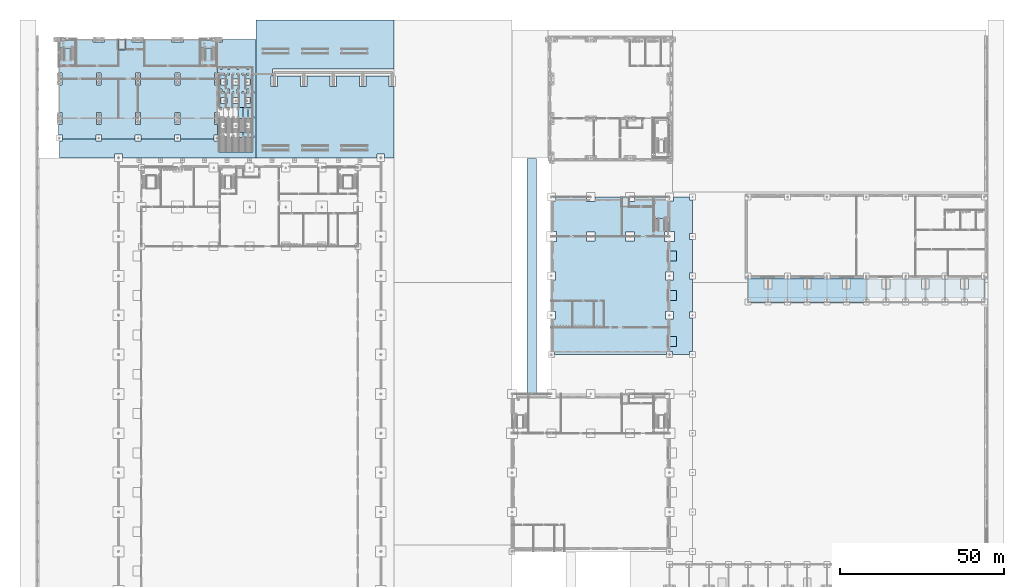
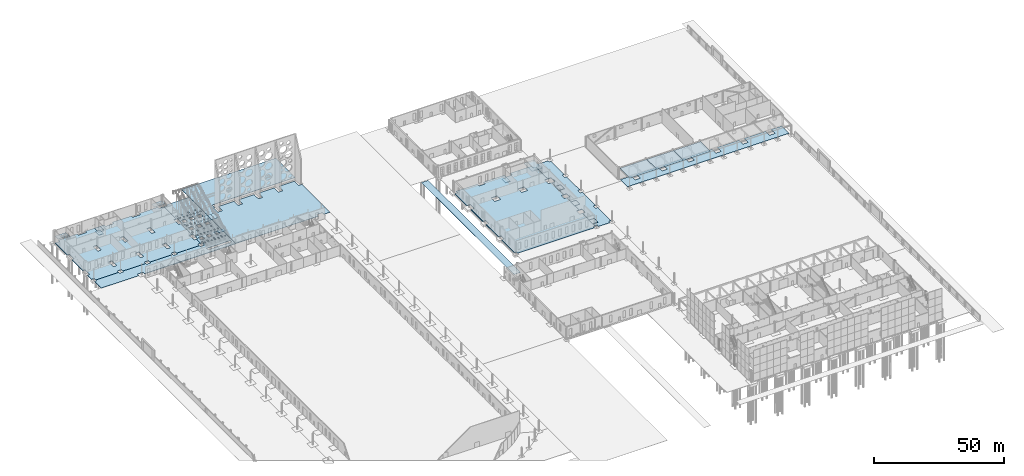
# One storey, part 57 of 132: 22 slabs, 3 plates, 6 elements without a shape of their own.
"""IFC4 building model written with IfcOpenShell, lengths in metres."""

from ifc_helpers import new_model, si_unit, direction, frame, origin, origin_2d, place, context, subcontext, project, spatial, polyline, rectangle, outline, extrude, material, layer, layer_set, type_object, element, aggregate, save


model = new_model("IFC4")

# Units and contexts
model_context = context("Model", 3, precision=1e-05, world=origin(), true_north=direction((0.0, 1.0)))
body_context = subcontext(model_context, "Body", "Model", "MODEL_VIEW")
ifc_project = project(units=[si_unit("LENGTHUNIT", "METRE"), si_unit("AREAUNIT", "SQUARE_METRE"), si_unit("VOLUMEUNIT", "CUBIC_METRE"), si_unit("PLANEANGLEUNIT", "RADIAN"), si_unit("MASSUNIT", "GRAM", prefix="KILO")], contexts=[model_context])

# Site, building, storey
site_placement = place(None, origin())
site = spatial("IfcSite", under=ifc_project, at=site_placement, CompositionType="ELEMENT")
building_placement = place(site_placement, origin())
building = spatial("IfcBuilding", under=site, at=building_placement, Name="Ravi Spectrum Wholesale Market", CompositionType="ELEMENT")
storey_placement = place(building_placement, origin())
storey = spatial("IfcBuildingStorey", under=building, at=storey_placement, Name="L00", CompositionType="ELEMENT", Elevation=0.0)

# Slabs
ifc_material_1 = material(Name="Clay paver")
ifc_layer_1 = layer(ifc_material_1, 0.1201171875)
ifc_layer_set_1 = layer_set([ifc_layer_1], Name="Clay paver")
slab_type_1 = type_object("IfcSlabType", Name="Clay paver on bedding 120", PredefinedType="BASESLAB", material=ifc_layer_set_1)
slab_1_placement = place(storey_placement, frame((0.0, 0.0, -0.1201171875)))
element("IfcSlab", 1, at=slab_1_placement, inside=storey, type_object=slab_type_1, Name="North Forecourt", PredefinedType="BASESLAB", context=body_context, shape_type="SweptSolid", body=[
    extrude(outline(polyline([(108.800048828125, 198.0), (108.800048828125, 199.199951171875), (111.199951171875, 199.199951171875), (111.199951171875, 198.0), (114.0, 198.0), (114.0, 219.75), (112.5, 219.75), (112.5, 223.0), (105.5, 223.0), (105.5, 219.75), (103.5, 219.75), (103.5, 223.0), (96.5, 223.0), (96.5, 219.75), (94.5, 219.75), (94.5, 223.0), (87.5, 223.0), (87.5, 219.75), (85.5, 219.75), (85.5, 223.0), (78.5, 223.0), (78.5, 219.75), (76.5, 219.75), (76.5, 223.0), (77.0, 223.0), (77.0, 225.0), (114.0, 225.0), (114.0, 240.0), (72.0, 240.0), (72.0, 198.0), (108.800048828125, 198.0)])), origin(), (0.0, 0.0, 1.0), 0.1201171875),
])
slab_2_placement = place(storey_placement, frame((0.0, 0.0, -0.1201171875)))
element("IfcSlab", 2, at=slab_2_placement, inside=storey, type_object=slab_type_1, Name="Garden walk paving", PredefinedType="BASESLAB", context=body_context, shape_type="SweptSolid", body=[
    extrude(outline(polyline([(157.5, 197.699951171875), (154.5, 197.699951171875), (154.5, 126.300048828125), (157.5, 126.300048828125), (157.5, 197.699951171875)])), origin(), (0.0, 0.0, 1.0), 0.1201171875),
])
ifc_material_2 = material(Name="Concrete C30/37", Category="concrete")
ifc_layer_2 = layer(ifc_material_2, 0.25)
ifc_layer_set_2 = layer_set([ifc_layer_2], Name="Concrete C30/37")
slab_type_2 = type_object("IfcSlabType", Name="Concrete paving C30/37 250", PredefinedType="BASESLAB", material=ifc_layer_set_2)
slab_3_placement = place(storey_placement, frame((0.0, 0.0, -0.25)))
element("IfcSlab", 3, at=slab_3_placement, inside=storey, type_object=slab_type_2, Name="West Margin Paving", PredefinedType="BASESLAB", context=body_context, shape_type="SweptSolid", body=[
    extrude(outline(polyline([(12.89990234375, 203.10009765625), (12.0, 203.10009765625), (12.0, 198.0), (28.800048828125, 198.0), (28.800048828125, 199.199951171875), (31.199951171875, 199.199951171875), (31.199951171875, 198.0), (72.0, 198.0), (72.0, 234.0), (61.800048828125, 234.0), (61.800048828125, 233.25), (60.25, 233.25), (60.25, 223.800048828125), (60.75, 223.800048828125), (60.75, 220.199951171875), (60.25, 220.199951171875), (60.25, 211.800048828125), (60.75, 211.800048828125), (60.75, 208.199951171875), (60.25, 208.199951171875), (60.25, 204.89990234375), (60.89990234375, 204.89990234375), (60.89990234375, 203.10009765625), (59.10009765625, 203.10009765625), (59.10009765625, 203.75), (48.89990234375, 203.75), (48.89990234375, 203.10009765625), (47.10009765625, 203.10009765625), (47.10009765625, 203.75), (36.89990234375, 203.75), (36.89990234375, 203.10009765625), (35.10009765625, 203.10009765625), (35.10009765625, 203.75), (24.89990234375, 203.75), (24.89990234375, 203.10009765625), (23.10009765625, 203.10009765625), (23.10009765625, 203.75), (12.89990234375, 203.75), (12.89990234375, 203.10009765625)]), holes=[polyline([(70.735107421875, 209.949951171875), (70.735107421875, 210.550048828125), (71.3349609375, 210.550048828125), (71.3349609375, 209.949951171875), (70.735107421875, 209.949951171875)]), polyline([(70.735107421875, 218.14990234375), (71.3349609375, 218.14990234375), (71.3349609375, 217.550048828125), (70.735107421875, 217.550048828125), (70.735107421875, 218.14990234375)]), polyline([(70.735107421875, 223.85009765625), (71.3349609375, 223.85009765625), (71.3349609375, 223.25), (70.735107421875, 223.25), (70.735107421875, 223.85009765625)]), polyline([(70.735107421875, 204.25), (70.735107421875, 204.85009765625), (71.3349609375, 204.85009765625), (71.3349609375, 204.25), (70.735107421875, 204.25)]), polyline([(71.034912109375, 199.699951171875), (60.5, 199.699951171875), (60.5, 200.89990234375), (71.034912109375, 200.89990234375), (71.034912109375, 199.699951171875)]), polyline([(68.379150390625, 208.699951171875), (70.17919921875, 208.699951171875), (70.17919921875, 206.89990234375), (68.379150390625, 206.89990234375), (68.379150390625, 208.699951171875)]), polyline([(68.379150390625, 216.300048828125), (70.17919921875, 216.300048828125), (70.17919921875, 214.5), (68.379150390625, 214.5), (68.379150390625, 216.300048828125)]), polyline([(68.379150390625, 220.199951171875), (68.379150390625, 222.0), (70.17919921875, 222.0), (70.17919921875, 220.199951171875), (68.379150390625, 220.199951171875)]), polyline([(69.22998046875, 204.25), (69.22998046875, 204.85009765625), (69.830078125, 204.85009765625), (69.830078125, 204.25), (69.22998046875, 204.25)]), polyline([(69.22998046875, 225.550048828125), (69.830078125, 225.550048828125), (69.830078125, 224.949951171875), (69.22998046875, 224.949951171875), (69.22998046875, 225.550048828125)]), polyline([(69.22998046875, 223.85009765625), (69.830078125, 223.85009765625), (69.830078125, 223.25), (69.22998046875, 223.25), (69.22998046875, 223.85009765625)]), polyline([(69.22998046875, 218.14990234375), (69.830078125, 218.14990234375), (69.830078125, 217.550048828125), (69.22998046875, 217.550048828125), (69.22998046875, 218.14990234375)]), polyline([(69.22998046875, 213.25), (69.830078125, 213.25), (69.830078125, 212.64990234375), (69.22998046875, 212.64990234375), (69.22998046875, 213.25)]), polyline([(69.22998046875, 210.550048828125), (69.830078125, 210.550048828125), (69.830078125, 209.949951171875), (69.22998046875, 209.949951171875), (69.22998046875, 210.550048828125)]), polyline([(69.22998046875, 218.35009765625), (69.22998046875, 218.949951171875), (69.830078125, 218.949951171875), (69.830078125, 218.35009765625), (69.22998046875, 218.35009765625)]), polyline([(69.22998046875, 205.050048828125), (69.22998046875, 205.64990234375), (69.830078125, 205.64990234375), (69.830078125, 205.050048828125), (69.22998046875, 205.050048828125)]), polyline([(67.72509765625, 223.85009765625), (68.324951171875, 223.85009765625), (68.324951171875, 223.25), (67.72509765625, 223.25), (67.72509765625, 223.85009765625)]), polyline([(67.72509765625, 204.85009765625), (68.324951171875, 204.85009765625), (68.324951171875, 204.25), (67.72509765625, 204.25), (67.72509765625, 204.85009765625)]), polyline([(67.72509765625, 210.550048828125), (68.324951171875, 210.550048828125), (68.324951171875, 209.949951171875), (67.72509765625, 209.949951171875), (67.72509765625, 210.550048828125)]), polyline([(67.72509765625, 217.550048828125), (67.72509765625, 218.14990234375), (68.324951171875, 218.14990234375), (68.324951171875, 217.550048828125), (67.72509765625, 217.550048828125)]), polyline([(66.219970703125, 224.949951171875), (66.219970703125, 225.550048828125), (66.820068359375, 225.550048828125), (66.820068359375, 224.949951171875), (66.219970703125, 224.949951171875)]), polyline([(66.219970703125, 217.550048828125), (66.219970703125, 218.14990234375), (66.820068359375, 218.14990234375), (66.820068359375, 217.550048828125), (66.219970703125, 217.550048828125)]), polyline([(66.219970703125, 204.25), (66.219970703125, 204.85009765625), (66.820068359375, 204.85009765625), (66.820068359375, 204.25), (66.219970703125, 204.25)]), polyline([(66.219970703125, 223.85009765625), (66.820068359375, 223.85009765625), (66.820068359375, 223.25), (66.219970703125, 223.25), (66.219970703125, 223.85009765625)]), polyline([(66.219970703125, 218.949951171875), (66.820068359375, 218.949951171875), (66.820068359375, 218.35009765625), (66.219970703125, 218.35009765625), (66.219970703125, 218.949951171875)]), polyline([(66.219970703125, 213.25), (66.820068359375, 213.25), (66.820068359375, 212.64990234375), (66.219970703125, 212.64990234375), (66.219970703125, 213.25)]), polyline([(66.219970703125, 210.550048828125), (66.820068359375, 210.550048828125), (66.820068359375, 209.949951171875), (66.219970703125, 209.949951171875), (66.219970703125, 210.550048828125)]), polyline([(66.219970703125, 205.64990234375), (66.820068359375, 205.64990234375), (66.820068359375, 205.050048828125), (66.219970703125, 205.050048828125), (66.219970703125, 205.64990234375)]), polyline([(64.867431640625, 216.300048828125), (66.66748046875, 216.300048828125), (66.66748046875, 214.5), (64.867431640625, 214.5), (64.867431640625, 216.300048828125)]), polyline([(64.867431640625, 206.89990234375), (64.867431640625, 208.699951171875), (66.66748046875, 208.699951171875), (66.66748046875, 206.89990234375), (64.867431640625, 206.89990234375)]), polyline([(64.867431640625, 220.199951171875), (64.867431640625, 222.0), (66.66748046875, 222.0), (66.66748046875, 220.199951171875), (64.867431640625, 220.199951171875)]), polyline([(64.715087890625, 209.949951171875), (64.715087890625, 210.550048828125), (65.31494140625, 210.550048828125), (65.31494140625, 209.949951171875), (64.715087890625, 209.949951171875)]), polyline([(64.715087890625, 218.14990234375), (65.31494140625, 218.14990234375), (65.31494140625, 217.550048828125), (64.715087890625, 217.550048828125), (64.715087890625, 218.14990234375)]), polyline([(64.715087890625, 204.85009765625), (65.31494140625, 204.85009765625), (65.31494140625, 204.25), (64.715087890625, 204.25), (64.715087890625, 204.85009765625)]), polyline([(64.715087890625, 223.25), (64.715087890625, 223.85009765625), (65.31494140625, 223.85009765625), (65.31494140625, 223.25), (64.715087890625, 223.25)]), polyline([(63.2099609375, 209.949951171875), (63.2099609375, 210.550048828125), (63.81005859375, 210.550048828125), (63.81005859375, 209.949951171875), (63.2099609375, 209.949951171875)]), polyline([(63.2099609375, 204.85009765625), (63.81005859375, 204.85009765625), (63.81005859375, 204.25), (63.2099609375, 204.25), (63.2099609375, 204.85009765625)]), polyline([(63.2099609375, 218.14990234375), (63.81005859375, 218.14990234375), (63.81005859375, 217.550048828125), (63.2099609375, 217.550048828125), (63.2099609375, 218.14990234375)]), polyline([(63.2099609375, 218.949951171875), (63.81005859375, 218.949951171875), (63.81005859375, 218.35009765625), (63.2099609375, 218.35009765625), (63.2099609375, 218.949951171875)]), polyline([(63.2099609375, 223.85009765625), (63.81005859375, 223.85009765625), (63.81005859375, 223.25), (63.2099609375, 223.25), (63.2099609375, 223.85009765625)]), polyline([(63.2099609375, 225.550048828125), (63.81005859375, 225.550048828125), (63.81005859375, 224.949951171875), (63.2099609375, 224.949951171875), (63.2099609375, 225.550048828125)]), polyline([(63.2099609375, 205.050048828125), (63.2099609375, 205.64990234375), (63.81005859375, 205.64990234375), (63.81005859375, 205.050048828125), (63.2099609375, 205.050048828125)]), polyline([(63.2099609375, 212.64990234375), (63.2099609375, 213.25), (63.81005859375, 213.25), (63.81005859375, 212.64990234375), (63.2099609375, 212.64990234375)]), polyline([(61.355712890625, 220.199951171875), (61.355712890625, 222.0), (63.15576171875, 222.0), (63.15576171875, 220.199951171875), (61.355712890625, 220.199951171875)]), polyline([(61.355712890625, 208.699951171875), (63.15576171875, 208.699951171875), (63.15576171875, 206.89990234375), (61.355712890625, 206.89990234375), (61.355712890625, 208.699951171875)]), polyline([(61.355712890625, 214.5), (61.355712890625, 216.300048828125), (63.15576171875, 216.300048828125), (63.15576171875, 214.5), (61.355712890625, 214.5)]), polyline([(61.705078125, 217.550048828125), (61.705078125, 218.14990234375), (62.304931640625, 218.14990234375), (62.304931640625, 217.550048828125), (61.705078125, 217.550048828125)]), polyline([(61.705078125, 204.25), (61.705078125, 204.85009765625), (62.304931640625, 204.85009765625), (62.304931640625, 204.25), (61.705078125, 204.25)]), polyline([(61.705078125, 223.85009765625), (62.304931640625, 223.85009765625), (62.304931640625, 223.25), (61.705078125, 223.25), (61.705078125, 223.85009765625)]), polyline([(61.705078125, 210.550048828125), (62.304931640625, 210.550048828125), (62.304931640625, 209.949951171875), (61.705078125, 209.949951171875), (61.705078125, 210.550048828125)]), polyline([(60.949951171875, 224.949951171875), (60.949951171875, 225.550048828125), (61.550048828125, 225.550048828125), (61.550048828125, 224.949951171875), (60.949951171875, 224.949951171875)]), polyline([(60.949951171875, 223.25), (60.949951171875, 223.85009765625), (61.550048828125, 223.85009765625), (61.550048828125, 223.25), (60.949951171875, 223.25)]), polyline([(60.949951171875, 218.35009765625), (60.949951171875, 218.949951171875), (61.550048828125, 218.949951171875), (61.550048828125, 218.35009765625), (60.949951171875, 218.35009765625)]), polyline([(60.949951171875, 205.050048828125), (60.949951171875, 205.64990234375), (61.550048828125, 205.64990234375), (61.550048828125, 205.050048828125), (60.949951171875, 205.050048828125)]), polyline([(60.949951171875, 218.14990234375), (61.550048828125, 218.14990234375), (61.550048828125, 217.550048828125), (60.949951171875, 217.550048828125), (60.949951171875, 218.14990234375)]), polyline([(60.949951171875, 213.25), (61.550048828125, 213.25), (61.550048828125, 212.64990234375), (60.949951171875, 212.64990234375), (60.949951171875, 213.25)]), polyline([(60.949951171875, 210.550048828125), (61.550048828125, 210.550048828125), (61.550048828125, 209.949951171875), (60.949951171875, 209.949951171875), (60.949951171875, 210.550048828125)]), polyline([(60.949951171875, 204.85009765625), (61.550048828125, 204.85009765625), (61.550048828125, 204.25), (60.949951171875, 204.25), (60.949951171875, 204.85009765625)])]), origin(), (0.0, 0.0, 1.0), 0.25),
])
slab_4_placement = place(storey_placement, frame((0.0, 0.0, -0.25)))
element("IfcSlab", 4, at=slab_4_placement, inside=storey, type_object=slab_type_2, Name="Yard paving", PredefinedType="BASESLAB", context=body_context, shape_type="SweptSolid", body=[
    extrude(outline(polyline([(29.875, 234.125), (29.875, 230.925048828125), (32.27490234375, 230.925048828125), (32.27490234375, 234.125), (29.875, 234.125)])), origin(), (0.0, 0.0, 1.0), 0.25),
])
ifc_material_3 = material(Name="Concrete C35/45", Category="concrete")
ifc_layer_3 = layer(ifc_material_3, 0.25)
ifc_layer_set_3 = layer_set([ifc_layer_3], Name="Concrete C35/45")
slab_type_3 = type_object("IfcSlabType", Name="Dock apron slab 250", PredefinedType="BASESLAB", material=ifc_layer_set_3)
slab_5_placement = place(storey_placement, frame((0.0, 0.0, -0.25)))
element("IfcSlab", 5, at=slab_5_placement, inside=storey, type_object=slab_type_3, Name="Loading dock apron", PredefinedType="BASESLAB", context=body_context, shape_type="SweptSolid", body=[
    extrude(outline(polyline([(229.199951171875, 161.06005859375), (238.800048828125, 161.06005859375), (238.800048828125, 158.06005859375), (241.199951171875, 158.06005859375), (241.199951171875, 161.06005859375), (250.800048828125, 161.06005859375), (250.800048828125, 158.06005859375), (253.199951171875, 158.06005859375), (253.199951171875, 161.06005859375), (262.800048828125, 161.06005859375), (262.800048828125, 158.06005859375), (265.199951171875, 158.06005859375), (265.199951171875, 161.06005859375), (274.800048828125, 161.06005859375), (274.800048828125, 158.06005859375), (277.199951171875, 158.06005859375), (277.199951171875, 161.06005859375), (286.800048828125, 161.06005859375), (286.800048828125, 158.06005859375), (289.199951171875, 158.06005859375), (289.199951171875, 161.06005859375), (294.0, 161.06005859375), (294.0, 155.4599609375), (222.0, 155.4599609375), (222.0, 161.06005859375), (226.800048828125, 161.06005859375), (226.800048828125, 158.06005859375), (229.199951171875, 158.06005859375), (229.199951171875, 161.06005859375)])), origin(), (0.0, 0.0, 1.0), 0.25),
])

# Plates
ifc_material_4 = material(Name="Steel S355", Category="steel")
ifc_layer_4 = layer(ifc_material_4, 0.030029296875)
ifc_layer_set_4 = layer_set([ifc_layer_4], Name="Steel S355")
plate_type = type_object("IfcPlateType", Name="Dock leveller plate", PredefinedType="SHEET", material=ifc_layer_set_4)
for number, where, z_axis, x_axis, name in (
    (6, (199.002197265625, 142.0, 0.0), (0.0, 0.0, 1.0), (1.0, 0.0, 0.0), "H3-PL-L00-001"),
    (7, (199.002197265625, 156.0, 0.0), (0.0, 0.0, 1.0), (1.0, 0.0, 0.0), "H3-PL-L00-002"),
    (8, (199.002197265625, 168.0, 0.0), (0.0, 0.0, 1.0), (1.0, 0.0, 0.0), "H3-PL-L00-003"),
):
    element("IfcPlate", number, at=place(storey_placement, frame(where, z_axis=z_axis, x_axis=x_axis)), inside=storey, type_object=plate_type, Name=name, PredefinedType="SHEET", context=body_context, shape_type="SweptSolid", body=[
        extrude(rectangle(XDim=2.39990234375, YDim=3.0, at=origin_2d()), origin(), (0.0, 0.0, 1.0), 0.030029296875),
    ])

# Slabs
ifc_material_5 = material(Name="Concrete C35/45", Category="concrete")
ifc_layer_5 = layer(ifc_material_5, 0.300048828125)
ifc_layer_set_5 = layer_set([ifc_layer_5], Name="Concrete C35/45")
slab_type_4 = type_object("IfcSlabType", Name="Ground slab 300", PredefinedType="BASESLAB", material=ifc_layer_set_5)
slab_6_placement = place(storey_placement, frame((0.0, 0.0, -0.300048828125)))
element("IfcSlab", 9, at=slab_6_placement, inside=storey, type_object=slab_type_4, Name="Flower Hall floor", PredefinedType="BASESLAB", context=body_context, shape_type="SweptSolid", body=[
    extrude(outline(polyline([(162.89990234375, 138.0), (162.89990234375, 138.89990234375), (162.0, 138.89990234375), (162.0, 148.800048828125), (163.199951171875, 148.800048828125), (163.199951171875, 151.199951171875), (162.0, 151.199951171875), (162.0, 160.800048828125), (163.199951171875, 160.800048828125), (163.199951171875, 163.199951171875), (162.0, 163.199951171875), (162.0, 172.5), (163.5, 172.5), (163.5, 175.5), (162.0, 175.5), (162.0, 184.800048828125), (163.199951171875, 184.800048828125), (163.199951171875, 186.0), (172.64990234375, 186.0), (172.64990234375, 184.64990234375), (175.35009765625, 184.64990234375), (175.35009765625, 186.0), (184.64990234375, 186.0), (184.64990234375, 184.64990234375), (187.35009765625, 184.64990234375), (187.35009765625, 186.0), (196.800048828125, 186.0), (196.800048828125, 184.800048828125), (198.0, 184.800048828125), (198.0, 175.5), (196.5, 175.5), (196.5, 172.5), (198.0, 172.5), (198.0, 163.199951171875), (196.800048828125, 163.199951171875), (196.800048828125, 160.800048828125), (198.0, 160.800048828125), (198.0, 151.199951171875), (196.800048828125, 151.199951171875), (196.800048828125, 148.800048828125), (198.0, 148.800048828125), (198.0, 138.89990234375), (197.10009765625, 138.89990234375), (197.10009765625, 138.0), (162.89990234375, 138.0)]), holes=[polyline([(175.35009765625, 172.64990234375), (175.35009765625, 175.35009765625), (172.64990234375, 175.35009765625), (172.64990234375, 172.64990234375), (175.35009765625, 172.64990234375)]), polyline([(187.35009765625, 172.64990234375), (187.35009765625, 175.35009765625), (184.64990234375, 175.35009765625), (184.64990234375, 172.64990234375), (187.35009765625, 172.64990234375)])]), origin(), (0.0, 0.0, 1.0), 0.300048828125),
])
slab_7_placement = place(storey_placement, frame((0.0, 0.0, -0.300048828125)))
element("IfcSlab", 10, at=slab_7_placement, inside=storey, type_object=slab_type_4, Name="Ground floor slab", PredefinedType="BASESLAB", context=body_context, shape_type="SweptSolid", body=[
    extrude(outline(polyline([(60.25, 204.89990234375), (59.10009765625, 204.89990234375), (59.10009765625, 203.75), (48.89990234375, 203.75), (48.89990234375, 204.89990234375), (47.10009765625, 204.89990234375), (47.10009765625, 203.75), (36.89990234375, 203.75), (36.89990234375, 204.89990234375), (35.10009765625, 204.89990234375), (35.10009765625, 203.75), (24.89990234375, 203.75), (24.89990234375, 204.89990234375), (23.10009765625, 204.89990234375), (23.10009765625, 203.75), (12.89990234375, 203.75), (12.89990234375, 204.89990234375), (11.75, 204.89990234375), (11.75, 208.199951171875), (12.75, 208.199951171875), (12.75, 211.800048828125), (11.75, 211.800048828125), (11.75, 220.199951171875), (12.75, 220.199951171875), (12.75, 223.800048828125), (11.75, 223.800048828125), (11.75, 233.25), (13.800048828125, 233.25), (13.800048828125, 234.25), (22.199951171875, 234.25), (22.199951171875, 233.25), (25.800048828125, 233.25), (25.800048828125, 234.25), (34.199951171875, 234.25), (34.199951171875, 233.25), (37.800048828125, 233.25), (37.800048828125, 234.25), (46.199951171875, 234.25), (46.199951171875, 233.25), (49.800048828125, 233.25), (49.800048828125, 234.25), (58.199951171875, 234.25), (58.199951171875, 233.25), (60.25, 233.25), (60.25, 223.800048828125), (59.25, 223.800048828125), (59.25, 220.199951171875), (60.25, 220.199951171875), (60.25, 211.800048828125), (59.25, 211.800048828125), (59.25, 208.199951171875), (60.25, 208.199951171875), (60.25, 204.89990234375)]), holes=[polyline([(24.75, 208.199951171875), (24.75, 211.800048828125), (23.25, 211.800048828125), (23.25, 208.199951171875), (24.75, 208.199951171875)]), polyline([(24.75, 223.800048828125), (23.25, 223.800048828125), (23.25, 220.199951171875), (24.75, 220.199951171875), (24.75, 223.800048828125)]), polyline([(36.75, 223.800048828125), (35.25, 223.800048828125), (35.25, 220.199951171875), (36.75, 220.199951171875), (36.75, 223.800048828125)]), polyline([(32.27490234375, 230.925048828125), (32.27490234375, 234.125), (29.875, 234.125), (29.875, 230.925048828125), (32.27490234375, 230.925048828125)]), polyline([(36.75, 208.199951171875), (36.75, 211.800048828125), (35.25, 211.800048828125), (35.25, 208.199951171875), (36.75, 208.199951171875)]), polyline([(48.75, 211.800048828125), (47.25, 211.800048828125), (47.25, 208.199951171875), (48.75, 208.199951171875), (48.75, 211.800048828125)]), polyline([(48.75, 220.199951171875), (48.75, 223.800048828125), (47.25, 223.800048828125), (47.25, 220.199951171875), (48.75, 220.199951171875)])]), origin(), (0.0, 0.0, 1.0), 0.300048828125),
])
ifc_material_6 = material(Name="Concrete C35/45", Category="concrete")
ifc_layer_6 = layer(ifc_material_6, 0.300048828125)
ifc_layer_set_6 = layer_set([ifc_layer_6], Name="Concrete C35/45")
slab_type_5 = type_object("IfcSlabType", Name="Paved ground slab 300", PredefinedType="FLOOR", material=ifc_layer_set_6)
slab_8_placement = place(storey_placement, frame((0.0, 0.0, -0.300048828125)))
element("IfcSlab", 11, at=slab_8_placement, inside=storey, type_object=slab_type_5, Name="Flower Hall dock arcade slab", PredefinedType="FLOOR", context=body_context, shape_type="SweptSolid", body=[
    extrude(outline(polyline([(198.89990234375, 138.0), (198.89990234375, 138.89990234375), (198.0, 138.89990234375), (198.0, 148.800048828125), (199.199951171875, 148.800048828125), (199.199951171875, 151.199951171875), (198.0, 151.199951171875), (198.0, 160.800048828125), (199.199951171875, 160.800048828125), (199.199951171875, 163.199951171875), (198.0, 163.199951171875), (198.0, 172.5), (199.5, 172.5), (199.5, 175.5), (198.0, 175.5), (198.0, 184.800048828125), (199.199951171875, 184.800048828125), (199.199951171875, 186.0), (204.10009765625, 186.0), (204.10009765625, 185.10009765625), (205.0, 185.10009765625), (205.0, 174.89990234375), (204.10009765625, 174.89990234375), (204.10009765625, 173.10009765625), (205.0, 173.10009765625), (205.0, 162.89990234375), (204.10009765625, 162.89990234375), (204.10009765625, 161.10009765625), (205.0, 161.10009765625), (205.0, 150.89990234375), (204.10009765625, 150.89990234375), (204.10009765625, 149.10009765625), (205.0, 149.10009765625), (205.0, 138.89990234375), (204.10009765625, 138.89990234375), (204.10009765625, 138.0), (198.89990234375, 138.0)])), origin(), (0.0, 0.0, 1.0), 0.300048828125),
])
ifc_material_7 = material(Name="Concrete C35/45", Category="concrete")
ifc_layer_7 = layer(ifc_material_7, 0.300048828125)
ifc_layer_set_7 = layer_set([ifc_layer_7], Name="Concrete C35/45")
slab_type_6 = type_object("IfcSlabType", Name="Pit slab 300", PredefinedType="BASESLAB", material=ifc_layer_set_7)
slab_9_placement = place(storey_placement, frame((0.0, 0.0, -1.699951171875)))
element("IfcSlab", 12, at=slab_9_placement, inside=storey, type_object=slab_type_6, Name="H3-SL-L00-LF-H3-1-PIT", PredefinedType="BASESLAB", context=body_context, shape_type="SweptSolid", body=[
    extrude(outline(polyline([(183.5, 183.050048828125), (185.64990234375, 183.050048828125), (185.64990234375, 186.0), (183.5, 186.0), (183.5, 183.050048828125)])), origin(), (0.0, 0.0, 1.0), 0.300048828125),
])
slab_10_placement = place(storey_placement, frame((0.0, 0.0, -1.699951171875)))
element("IfcSlab", 13, at=slab_10_placement, inside=storey, type_object=slab_type_6, Name="OF-SL-L00-LF-OF-1-PIT", PredefinedType="BASESLAB", context=body_context, shape_type="SweptSolid", body=[
    extrude(outline(polyline([(30.0, 231.050048828125), (32.14990234375, 231.050048828125), (32.14990234375, 234.0), (30.0, 234.0), (30.0, 231.050048828125)])), origin(), (0.0, 0.0, 1.0), 0.300048828125),
])
ifc_material_8 = material(Name="Steel S355", Category="steel")
ifc_layer_8 = layer(ifc_material_8, 0.1201171875)
ifc_layer_set_8 = layer_set([ifc_layer_8], Name="Steel S355")
slab_type_7 = type_object("IfcSlabType", Name="Roof deck 120", PredefinedType="ROOF", material=ifc_layer_set_8)
slab_11_placement = place(storey_placement, frame((0.0, 0.0, 4.97998046875)))
element("IfcSlab", 14, at=slab_11_placement, inside=storey, type_object=slab_type_7, Name="Dock canopy deck", PredefinedType="ROOF", context=body_context, shape_type="SweptSolid", body=[
    extrude(outline(polyline([(234.0, 153.772216796875), (234.0, 161.409912109375), (222.0, 161.409912109375), (222.0, 153.772216796875), (234.0, 153.772216796875)])), origin(), (0.0, 0.0, 1.0), 0.1201171875),
])
slab_12_placement = place(storey_placement, frame((0.0, 0.0, 4.97998046875)))
element("IfcSlab", 15, at=slab_12_placement, inside=storey, type_object=slab_type_7, Name="Dock canopy deck", PredefinedType="ROOF", context=body_context, shape_type="SweptSolid", body=[
    extrude(outline(polyline([(246.0, 153.772216796875), (246.0, 161.409912109375), (234.0, 161.409912109375), (234.0, 153.772216796875), (246.0, 153.772216796875)])), origin(), (0.0, 0.0, 1.0), 0.1201171875),
])
slab_13_placement = place(storey_placement, frame((0.0, 0.0, 4.97998046875)))
element("IfcSlab", 16, at=slab_13_placement, inside=storey, type_object=slab_type_7, Name="Dock canopy deck", PredefinedType="ROOF", context=body_context, shape_type="SweptSolid", body=[
    extrude(outline(polyline([(258.0, 153.772216796875), (258.0, 161.409912109375), (246.0, 161.409912109375), (246.0, 153.772216796875), (258.0, 153.772216796875)])), origin(), (0.0, 0.0, 1.0), 0.1201171875),
])

# Stair, slabs
ifc_material_9 = material(Name="Concrete C35/45", Category="concrete")
stair_type = type_object("IfcStairType", Name="Stair", PredefinedType="NOTDEFINED", material=ifc_material_9)
stair_1_placement = place(storey_placement, origin())
stair_1 = element("IfcStair", 17, at=stair_1_placement, inside=storey, type_object=stair_type, Name="GW-ST-L00-005", PredefinedType="NOTDEFINED")
ifc_material_10 = material(Name="Concrete C35/45", Category="concrete")
ifc_layer_9 = layer(ifc_material_10, 0.199951171875)
ifc_layer_set_9 = layer_set([ifc_layer_9], Name="Concrete C35/45")
slab_type_8 = type_object("IfcSlabType", Name="Stair landing 200", PredefinedType="LANDING", material=ifc_layer_set_9)
slab_14_placement = place(storey_placement, frame((0.0, 0.0, 2.5)))
slab_14 = element("IfcSlab", 18, at=slab_14_placement, type_object=slab_type_8, Name="ST-GW5 landing 1", PredefinedType="LANDING", context=body_context, shape_type="SweptSolid", body=[
    extrude(outline(polyline([(66.52001953125, 204.199951171875), (68.02490234375, 204.199951171875), (68.02490234375, 205.699951171875), (66.52001953125, 205.699951171875), (66.52001953125, 204.199951171875)])), origin(), (0.0, 0.0, 1.0), 0.199951171875),
])
slab_15_placement = place(storey_placement, frame((0.0, 0.0, 5.199951171875)))
slab_15 = element("IfcSlab", 19, at=slab_15_placement, type_object=slab_type_8, Name="ST-GW5 landing 2", PredefinedType="LANDING", context=body_context, shape_type="SweptSolid", body=[
    extrude(outline(polyline([(66.52001953125, 209.89990234375), (68.02490234375, 209.89990234375), (68.02490234375, 213.300048828125), (66.52001953125, 213.300048828125), (66.52001953125, 209.89990234375)])), origin(), (0.0, 0.0, 1.0), 0.199951171875),
])
aggregate(stair_1, [slab_14, slab_15])

stair_2_placement = place(storey_placement, origin())
stair_2 = element("IfcStair", 20, at=stair_2_placement, inside=storey, type_object=stair_type, Name="GW-ST-L00-006", PredefinedType="NOTDEFINED")
slab_16_placement = place(storey_placement, frame((0.0, 0.0, 2.5)))
slab_16 = element("IfcSlab", 21, at=slab_16_placement, type_object=slab_type_8, Name="ST-GW6 landing 1", PredefinedType="LANDING", context=body_context, shape_type="SweptSolid", body=[
    extrude(outline(polyline([(68.02490234375, 204.199951171875), (69.530029296875, 204.199951171875), (69.530029296875, 205.699951171875), (68.02490234375, 205.699951171875), (68.02490234375, 204.199951171875)])), origin(), (0.0, 0.0, 1.0), 0.199951171875),
])
slab_17_placement = place(storey_placement, frame((0.0, 0.0, 5.199951171875)))
slab_17 = element("IfcSlab", 22, at=slab_17_placement, type_object=slab_type_8, Name="ST-GW6 landing 2", PredefinedType="LANDING", context=body_context, shape_type="SweptSolid", body=[
    extrude(outline(polyline([(68.02490234375, 209.89990234375), (69.530029296875, 209.89990234375), (69.530029296875, 213.300048828125), (68.02490234375, 213.300048828125), (68.02490234375, 209.89990234375)])), origin(), (0.0, 0.0, 1.0), 0.199951171875),
])
aggregate(stair_2, [slab_16, slab_17])

stair_3_placement = place(storey_placement, origin())
stair_3 = element("IfcStair", 23, at=stair_3_placement, inside=storey, type_object=stair_type, Name="GW-ST-L00-007", PredefinedType="NOTDEFINED")
slab_18_placement = place(storey_placement, frame((0.0, 0.0, 2.5)))
slab_18 = element("IfcSlab", 24, at=slab_18_placement, type_object=slab_type_8, Name="ST-GW7 landing 1", PredefinedType="LANDING", context=body_context, shape_type="SweptSolid", body=[
    extrude(outline(polyline([(69.530029296875, 204.199951171875), (71.034912109375, 204.199951171875), (71.034912109375, 205.699951171875), (69.530029296875, 205.699951171875), (69.530029296875, 204.199951171875)])), origin(), (0.0, 0.0, 1.0), 0.199951171875),
])
slab_19_placement = place(storey_placement, frame((0.0, 0.0, 5.199951171875)))
slab_19 = element("IfcSlab", 25, at=slab_19_placement, type_object=slab_type_8, Name="ST-GW7 landing 2", PredefinedType="LANDING", context=body_context, shape_type="SweptSolid", body=[
    extrude(outline(polyline([(69.530029296875, 209.89990234375), (71.034912109375, 209.89990234375), (71.034912109375, 213.300048828125), (69.530029296875, 213.300048828125), (69.530029296875, 209.89990234375)])), origin(), (0.0, 0.0, 1.0), 0.199951171875),
])
aggregate(stair_3, [slab_18, slab_19])

# Stair, slab
stair_4_placement = place(storey_placement, origin())
stair_4 = element("IfcStair", 26, at=stair_4_placement, inside=storey, type_object=stair_type, Name="L00 S-H3-1", PredefinedType="HALF_TURN_STAIR")
slab_20_placement = place(storey_placement, frame((0.0, 0.0, 2.5)))
slab_20 = element("IfcSlab", 27, at=slab_20_placement, type_object=slab_type_8, Name="S-H3-1 landing 1", PredefinedType="LANDING", context=body_context, shape_type="SweptSolid", body=[
    extrude(outline(polyline([(197.89990234375, 179.52001953125), (197.89990234375, 185.89990234375), (193.300048828125, 185.89990234375), (193.300048828125, 179.52001953125), (197.89990234375, 179.52001953125)])), origin(), (0.0, 0.0, 1.0), 0.199951171875),
])
aggregate(stair_4, [slab_20])

stair_5_placement = place(storey_placement, origin())
stair_5 = element("IfcStair", 28, at=stair_5_placement, inside=storey, type_object=stair_type, Name="L00 S-OF-1", PredefinedType="HALF_TURN_STAIR")
slab_21_placement = place(storey_placement, frame((0.0, 0.0, 2.5)))
slab_21 = element("IfcSlab", 29, at=slab_21_placement, type_object=slab_type_8, Name="S-OF-1 landing 1", PredefinedType="LANDING", context=body_context, shape_type="SweptSolid", body=[
    extrude(outline(polyline([(16.89990234375, 231.52001953125), (16.89990234375, 233.89990234375), (12.10009765625, 233.89990234375), (12.10009765625, 231.52001953125), (16.89990234375, 231.52001953125)])), origin(), (0.0, 0.0, 1.0), 0.199951171875),
])
aggregate(stair_5, [slab_21])

stair_6_placement = place(storey_placement, origin())
stair_6 = element("IfcStair", 30, at=stair_6_placement, inside=storey, type_object=stair_type, Name="L00 S-OF-2", PredefinedType="HALF_TURN_STAIR")
slab_22_placement = place(storey_placement, frame((0.0, 0.0, 2.5)))
slab_22 = element("IfcSlab", 31, at=slab_22_placement, type_object=slab_type_8, Name="S-OF-2 landing 1", PredefinedType="LANDING", context=body_context, shape_type="SweptSolid", body=[
    extrude(outline(polyline([(59.89990234375, 231.52001953125), (59.89990234375, 233.89990234375), (55.10009765625, 233.89990234375), (55.10009765625, 231.52001953125), (59.89990234375, 231.52001953125)])), origin(), (0.0, 0.0, 1.0), 0.199951171875),
])
aggregate(stair_6, [slab_22])

save(model, "model.ifc")
